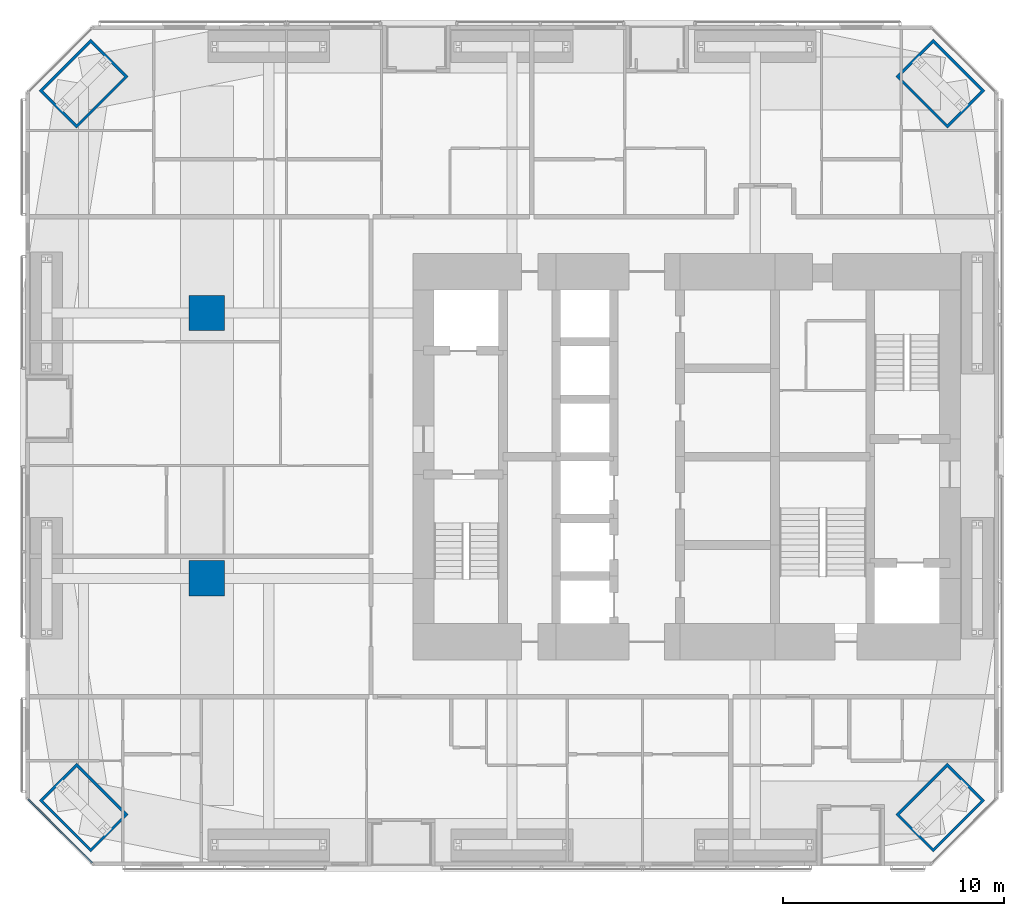
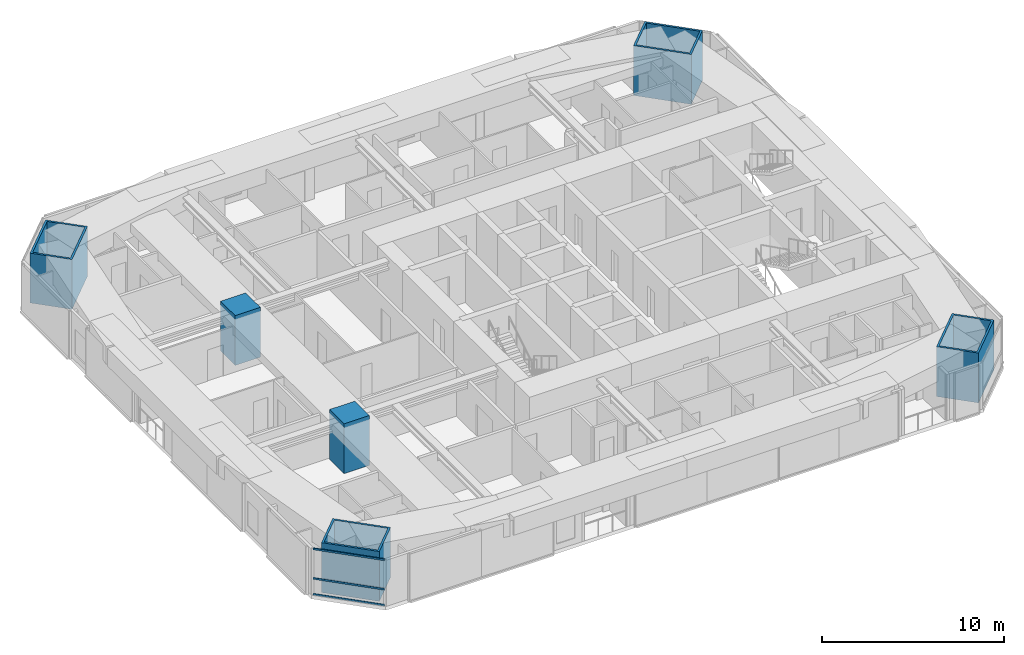
# One storey, part 1 of 22: 6 columns, 3 members, 1 element without a shape of its own.
"""IFC4 building model written with IfcOpenShell, lengths in metres."""

from ifc_helpers import new_model, si_unit, direction, frame, origin, origin_2d, place, context, subcontext, project, spatial, rectangle, hollow_rectangle, extrude, material, material_profile, profile_set, type_object, element, aggregate, save


model = new_model("IFC4")

# Units and contexts
model_context = context("Model", 3, precision=1e-05, world=origin(), true_north=direction((0.0, 1.0)))
body_context = subcontext(model_context, "Body", "Model", "MODEL_VIEW")
ifc_project = project(units=[si_unit("LENGTHUNIT", "METRE"), si_unit("AREAUNIT", "SQUARE_METRE"), si_unit("VOLUMEUNIT", "CUBIC_METRE"), si_unit("PLANEANGLEUNIT", "RADIAN"), si_unit("MASSUNIT", "GRAM", prefix="KILO")], contexts=[model_context])

# Site, building, storey
site_placement = place(None, origin())
site = spatial("IfcSite", under=ifc_project, at=site_placement, CompositionType="ELEMENT")
building_placement = place(site_placement, origin())
building = spatial("IfcBuilding", under=site, at=building_placement, Name="Jalousie Tower", CompositionType="ELEMENT")
storey_placement = place(building_placement, frame((0.0, 0.0, 67.89990234375)))
storey = spatial("IfcBuildingStorey", under=building, at=storey_placement, Name="L18", CompositionType="ELEMENT", Elevation=67.89990234375)

# Columns
ifc_material_1 = material(Name="Steel EN 10025-2 S355J2 plate", Category="steel")
ifc_material_profile_1 = material_profile(ifc_material_1, hollow_rectangle(XDim=2.39990234375, YDim=3.300048828125, WallThickness=0.125, at=origin_2d()), Name="BOX 3300x2400x125")
ifc_profile_set_1 = profile_set([ifc_material_profile_1], Name="Steel EN 10025-2 S355J2 plate")
column_type_1 = type_object("IfcColumnType", Name="BUILT-UP BOX CORNER COLUMN BOX 3300x2400x125", PredefinedType="COLUMN", material=ifc_profile_set_1)
for number, where, z_axis, x_axis, name in (
    (1, (4.63134765625, 2.63134765625, 0.0), (0.0, 0.0, 1.0), (0.707106781187, 0.707106781187, 0.0), "Corner column 01 L18"),
    (2, (43.36865234375, 2.63134765625, 0.0), (0.0, 0.0, 1.0), (-0.707106781187, 0.707106781187, 0.0), "Corner column 05 L18"),
    (3, (43.36865234375, 35.36865234375, 0.0), (0.0, 0.0, 1.0), (-0.707106781187, -0.707106781187, 0.0), "Corner column 08 L18"),
    (4, (4.63134765625, 35.36865234375, 0.0), (0.0, 0.0, 1.0), (0.707106781187, -0.707106781187, 0.0), "Corner column 12 L18"),
):
    element("IfcColumn", number, at=place(storey_placement, frame(where, z_axis=z_axis, x_axis=x_axis)), inside=storey, type_object=column_type_1, Name=name, PredefinedType="COLUMN", context=body_context, shape_type="SweptSolid", body=[
        extrude(hollow_rectangle(XDim=2.39990234375, YDim=3.300048828125, WallThickness=0.125, at=origin_2d()), origin(), (0.0, 0.0, 1.0), 3.35009765625),
    ])
ifc_material_2 = material(Name="Concrete f'c 120 MPa", Category="concrete")
ifc_material_profile_2 = material_profile(ifc_material_2, rectangle(XDim=1.60009765625, YDim=1.60009765625, at=origin_2d()), Name="RC 1600x1600")
ifc_profile_set_2 = profile_set([ifc_material_profile_2], Name="Concrete f'c 120 MPa")
column_type_2 = type_object("IfcColumnType", Name="RC COLUMN 1600x1600", PredefinedType="COLUMN", material=ifc_profile_set_2)
for number, where, z_axis, x_axis, name in (
    (5, (10.199951171875, 13.0, 0.0), (0.0, 0.0, 1.0), (1.0, 0.0, 0.0), "Interior column IA1 L18"),
    (6, (10.199951171875, 25.0, 0.0), (0.0, 0.0, 1.0), (1.0, 0.0, 0.0), "Interior column IA2 L18"),
):
    element("IfcColumn", number, at=place(storey_placement, frame(where, z_axis=z_axis, x_axis=x_axis)), inside=storey, type_object=column_type_2, Name=name, PredefinedType="COLUMN", context=body_context, shape_type="SweptSolid", body=[
        extrude(rectangle(XDim=1.60009765625, YDim=1.60009765625, at=origin_2d()), origin(), (0.0, 0.0, 1.0), 3.35009765625),
    ])

# Curtain wall, members
ifc_material_3 = material(Name="Aluminium curtain wall", Category="aluminium")
curtain_wall_type = type_object("IfcCurtainWallType", Name="CORNER WINDOW WALL", PredefinedType="USERDEFINED", material=ifc_material_3)
curtain_wall_placement = place(storey_placement, origin())
curtain_wall = element("IfcCurtainWall", 7, at=curtain_wall_placement, inside=storey, type_object=curtain_wall_type, Name="Corner Window Wall L18 8", ObjectType="CORNER WINDOW WALL", PredefinedType="USERDEFINED")
ifc_material_4 = material(Name="Aluminium transom", Category="aluminium")
ifc_material_profile_3 = material_profile(ifc_material_4, rectangle(XDim=0.06005859375, YDim=0.1201171875, at=origin_2d()), Name="TRANSOM 60x120")
ifc_profile_set_3 = profile_set([ifc_material_profile_3], Name="Aluminium transom")
member_type = type_object("IfcMemberType", Name="CORNER WINDOW WALL TRANSOM", PredefinedType="USERDEFINED", material=ifc_profile_set_3)
member_1_placement = place(storey_placement, frame((2.1298828125, 3.0087890625, 0.030029296875), z_axis=(0.707106781187, -0.707106781187, 0.0), x_axis=(0.707106781187, 0.707106781187, 0.0)))
member_1 = element("IfcMember", 8, at=member_1_placement, type_object=member_type, Name="CW-C transom 1.1", ObjectType="TRANSOM", PredefinedType="USERDEFINED", context=body_context, shape_type="SweptSolid", body=[
    extrude(rectangle(XDim=0.06005859375, YDim=0.1201171875, at=origin_2d()), origin(), (0.0, 0.0, 1.0), 4.0712890625),
])
member_2_placement = place(storey_placement, frame((2.1298828125, 3.0087890625, 1.10009765625), z_axis=(0.707106781187, -0.707106781187, 0.0), x_axis=(0.707106781187, 0.707106781187, 0.0)))
member_2 = element("IfcMember", 9, at=member_2_placement, type_object=member_type, Name="CW-C transom 1.2", ObjectType="TRANSOM", PredefinedType="USERDEFINED", context=body_context, shape_type="SweptSolid", body=[
    extrude(rectangle(XDim=0.06005859375, YDim=0.1201171875, at=origin_2d()), origin(), (0.0, 0.0, 1.0), 4.0712890625),
])
member_3_placement = place(storey_placement, frame((2.1298828125, 3.0087890625, 3.080078125), z_axis=(0.707106781187, -0.707106781187, 0.0), x_axis=(0.707106781187, 0.707106781187, 0.0)))
member_3 = element("IfcMember", 10, at=member_3_placement, type_object=member_type, Name="CW-C transom 1.3", ObjectType="TRANSOM", PredefinedType="USERDEFINED", context=body_context, shape_type="SweptSolid", body=[
    extrude(rectangle(XDim=0.06005859375, YDim=0.1201171875, at=origin_2d()), origin(), (0.0, 0.0, 1.0), 4.0712890625),
])
aggregate(curtain_wall, [member_1, member_2, member_3])

save(model, "model.ifc")
